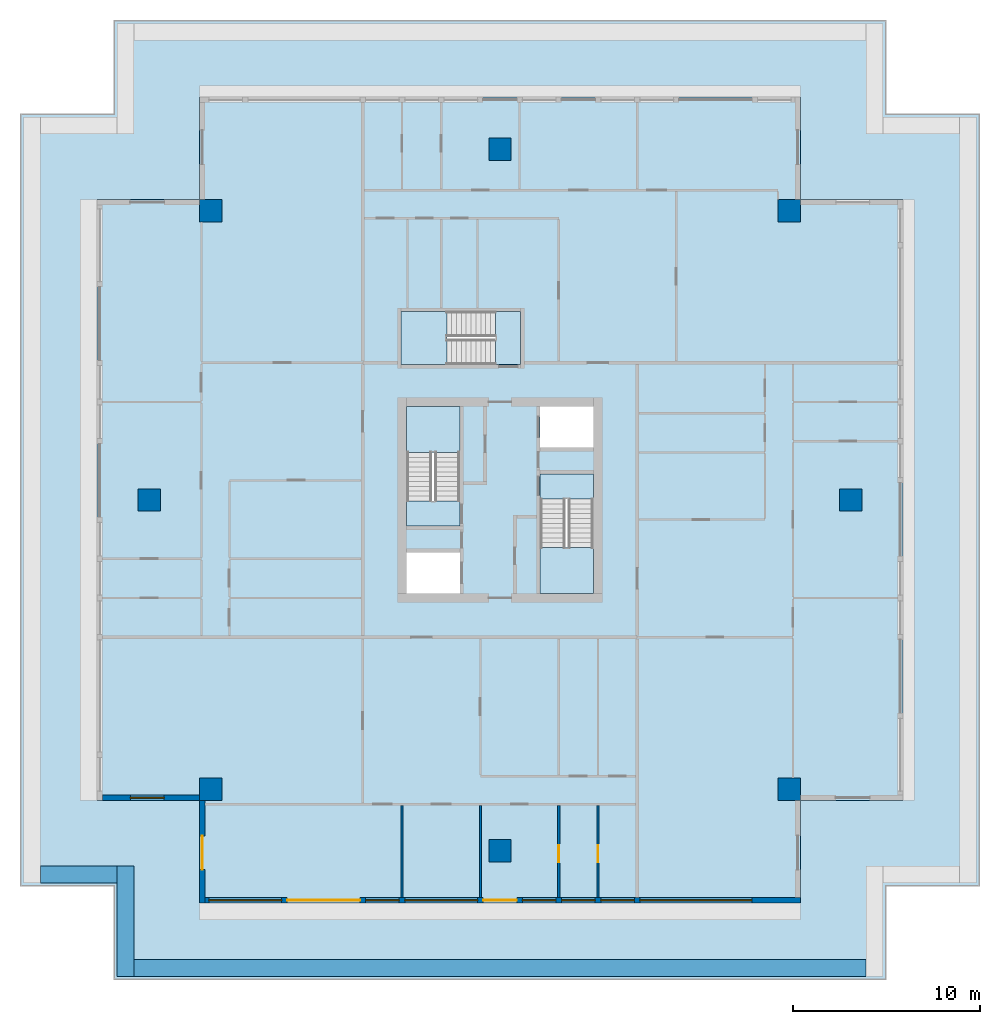
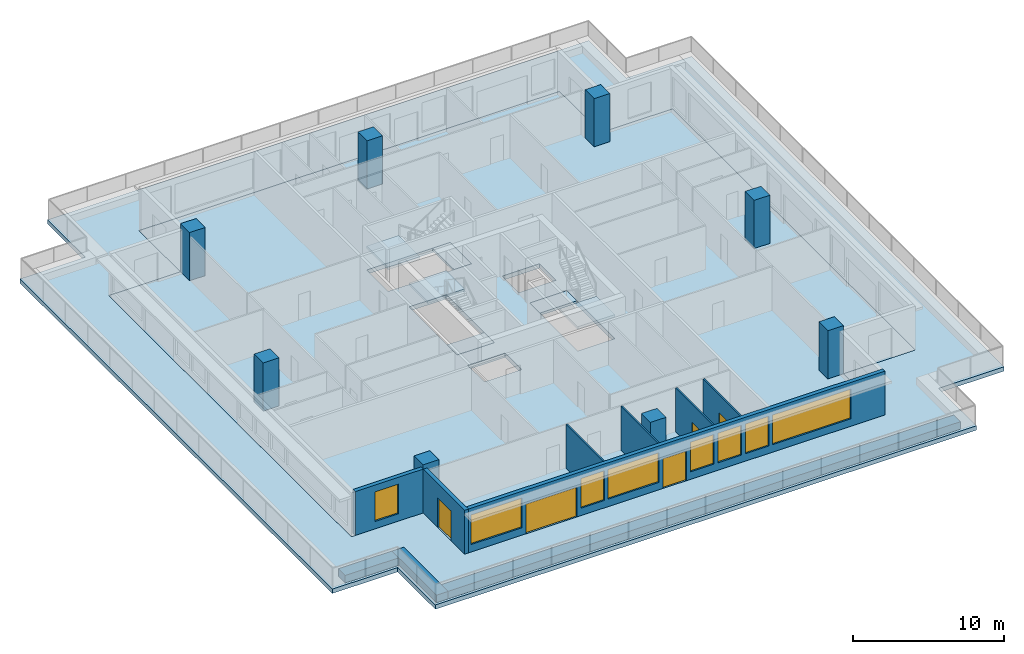
# One storey, part 1 of 11: 10 walls, 8 columns, 8 slabs, 8 windows, 5 doors, 13 openings, 3 elements without a shape of their own.
"""IFC4 building model written with IfcOpenShell, lengths in metres."""

from ifc_helpers import new_model, si_unit, direction, frame, frame_2d, origin, origin_2d, place, context, subcontext, project, spatial, polyline, rectangle, outline, extrude, material, layer, layer_set, material_profile, profile_set, type_object, element, fill, aggregate, save


model = new_model("IFC4")

# Units and contexts
model_context = context("Model", 3, precision=1e-05, world=origin(), true_north=direction((0.0, 1.0)))
body_context = subcontext(model_context, "Body", "Model", "MODEL_VIEW")
ifc_project = project(units=[si_unit("LENGTHUNIT", "METRE"), si_unit("AREAUNIT", "SQUARE_METRE"), si_unit("VOLUMEUNIT", "CUBIC_METRE"), si_unit("PLANEANGLEUNIT", "RADIAN"), si_unit("MASSUNIT", "GRAM", prefix="KILO")], contexts=[model_context])

# Site, building, storey
site_placement = place(None, origin())
site = spatial("IfcSite", under=ifc_project, at=site_placement, CompositionType="ELEMENT")
building_placement = place(site_placement, origin())
building = spatial("IfcBuilding", under=site, at=building_placement, Name="Khepri Terraces", CompositionType="ELEMENT")
storey_placement = place(building_placement, frame((0.0, 0.0, 292.800048828125)))
storey = spatial("IfcBuildingStorey", under=building, at=storey_placement, Name="L70", CompositionType="ELEMENT", Elevation=292.800048828125)

# Columns
ifc_material_1 = material(Name="Concrete C40/50", Category="concrete")
ifc_material_profile = material_profile(ifc_material_1, rectangle(XDim=1.199951171875, YDim=1.199951171875, at=origin_2d()), Name="Concrete C40/50", Category="concrete")
ifc_profile_set = profile_set([ifc_material_profile], Name="Concrete C40/50")
column_type = type_object("IfcColumnType", Name="Crown column RC 1200x1200 C40/50", PredefinedType="COLUMN", material=ifc_profile_set)
for number, where, z_axis, x_axis, name in (
    (1, (18.800048828125, 0.0, -0.35009765625), (0.0, 0.0, 1.0), (1.0, 0.0, 0.0), "Crown column CT1E L70"),
    (2, (15.5, 15.5, -0.35009765625), (0.0, 0.0, 1.0), (1.0, 0.0, 0.0), "Crown column CT1EN L70"),
    (3, (15.5, -15.5, -0.35009765625), (0.0, 0.0, 1.0), (1.0, 0.0, 0.0), "Crown column CT1ES L70"),
    (4, (0.0, 18.800048828125, -0.35009765625), (0.0, 0.0, 1.0), (1.0, 0.0, 0.0), "Crown column CT1N L70"),
    (5, (0.0, -18.800048828125, -0.35009765625), (0.0, 0.0, 1.0), (1.0, 0.0, 0.0), "Crown column CT1S L70"),
    (6, (-18.800048828125, 0.0, -0.35009765625), (0.0, 0.0, 1.0), (1.0, 0.0, 0.0), "Crown column CT1W L70"),
    (7, (-15.5, 15.5, -0.35009765625), (0.0, 0.0, 1.0), (1.0, 0.0, 0.0), "Crown column CT1WN L70"),
    (8, (-15.5, -15.5, -0.35009765625), (0.0, 0.0, 1.0), (1.0, 0.0, 0.0), "Crown column CT1WS L70"),
):
    element("IfcColumn", number, at=place(storey_placement, frame(where, z_axis=z_axis, x_axis=x_axis)), inside=storey, type_object=column_type, Name=name, PredefinedType="COLUMN", context=body_context, shape_type="SweptSolid", body=[
        extrude(rectangle(XDim=1.199951171875, YDim=1.199951171875, at=origin_2d()), origin(), (0.0, 0.0, 1.0), 4.25),
    ])

# Slabs
ifc_layer_1 = layer(ifc_material_1, 0.35009765625, Name="Concrete C40/50", Category="concrete")
ifc_layer_set_1 = layer_set([ifc_layer_1], Name="Concrete C40/50")
slab_type_1 = type_object("IfcSlabType", Name="Crown floor slab 350", PredefinedType="FLOOR", material=ifc_layer_set_1)
slab_1_placement = place(storey_placement, frame((0.0, 0.0, -0.35009765625)))
element("IfcSlab", 9, at=slab_1_placement, inside=storey, type_object=slab_type_1, Name="Floor slab F01 L70", PredefinedType="FLOOR", context=body_context, shape_type="SweptSolid", body=[
    extrude(outline(polyline([(-21.60009765625, -16.10009765625), (-21.60009765625, 16.10009765625), (-16.10009765625, 16.10009765625), (-16.10009765625, 21.60009765625), (16.10009765625, 21.60009765625), (16.10009765625, 16.10009765625), (21.60009765625, 16.10009765625), (21.60009765625, -16.10009765625), (16.10009765625, -16.10009765625), (16.10009765625, -21.60009765625), (-16.10009765625, -21.60009765625), (-16.10009765625, -16.10009765625), (-21.60009765625, -16.10009765625)]), holes=[polyline([(5.0, 5.0), (2.14990234375, 5.0), (2.14990234375, 2.800048828125), (5.0, 2.800048828125), (5.0, 5.0)]), polyline([(-2.14990234375, -5.0), (-2.14990234375, -2.800048828125), (-5.0, -2.800048828125), (-5.0, -5.0), (-2.14990234375, -5.0)]), polyline([(-5.0, -1.39990234375), (-2.14990234375, -1.39990234375), (-2.14990234375, 5.0), (-5.0, 5.0), (-5.0, -1.39990234375)]), polyline([(5.0, -5.0), (5.0, 1.39990234375), (2.14990234375, 1.39990234375), (2.14990234375, -5.0), (5.0, -5.0)]), polyline([(-5.300048828125, 10.10009765625), (-5.300048828125, 7.25), (1.10009765625, 7.25), (1.10009765625, 10.10009765625), (-5.300048828125, 10.10009765625)])]), origin(), (0.0, 0.0, 1.0), 0.35009765625),
])
ifc_layer_2 = layer(ifc_material_1, 0.35009765625, Name="Concrete C40/50", Category="concrete")
ifc_layer_set_2 = layer_set([ifc_layer_2], Name="Concrete C40/50")
slab_type_2 = type_object("IfcSlabType", Name="Crown roof slab 350", PredefinedType="ROOF", material=ifc_layer_set_2)
slab_2_placement = place(storey_placement, frame((0.0, 0.0, -0.35009765625)))
element("IfcSlab", 10, at=slab_2_placement, inside=storey, type_object=slab_type_2, Name="Roof slab R01 below L70", PredefinedType="ROOF", context=body_context, shape_type="SweptSolid", body=[
    extrude(outline(polyline([(-20.719970703125, -20.719970703125), (-21.60009765625, -20.719970703125), (-25.719970703125, -20.719970703125), (-25.719970703125, 20.719970703125), (-21.60009765625, 20.719970703125), (-20.719970703125, 20.719970703125), (-20.719970703125, 21.60009765625), (-20.719970703125, 25.719970703125), (20.719970703125, 25.719970703125), (20.719970703125, 21.60009765625), (20.719970703125, 20.719970703125), (21.60009765625, 20.719970703125), (25.719970703125, 20.719970703125), (25.719970703125, -20.719970703125), (21.60009765625, -20.719970703125), (20.719970703125, -20.719970703125), (20.719970703125, -21.60009765625), (20.719970703125, -25.719970703125), (-20.719970703125, -25.719970703125), (-20.719970703125, -21.60009765625), (-20.719970703125, -20.719970703125)]), holes=[polyline([(-21.60009765625, -16.10009765625), (-16.10009765625, -16.10009765625), (-16.10009765625, -21.60009765625), (16.10009765625, -21.60009765625), (16.10009765625, -16.10009765625), (21.60009765625, -16.10009765625), (21.60009765625, 16.10009765625), (16.10009765625, 16.10009765625), (16.10009765625, 21.60009765625), (-16.10009765625, 21.60009765625), (-16.10009765625, 16.10009765625), (-21.60009765625, 16.10009765625), (-21.60009765625, -16.10009765625)])]), origin(), (0.0, 0.0, 1.0), 0.35009765625),
])

# Stair, slabs
stair_type = type_object("IfcStairType", Name="STAIR-RC-22R", PredefinedType="HALF_TURN_STAIR", material=ifc_material_1)
stair_1_placement = place(storey_placement, origin())
stair_1 = element("IfcStair", 11, at=stair_1_placement, inside=storey, type_object=stair_type, Name="L70 Exit Stair ST-1", PredefinedType="HALF_TURN_STAIR")
ifc_layer_3 = layer(ifc_material_1, 0.199951171875, Name="Concrete C40/50", Category="concrete")
ifc_layer_set_3 = layer_set([ifc_layer_3], Name="Concrete C40/50")
slab_type_3 = type_object("IfcSlabType", Name="SLB-CORE-LANDING", PredefinedType="LANDING", material=ifc_layer_set_3)
slab_3_placement = place(storey_placement, frame((0.0, 0.0, -0.199951171875)))
slab_3 = element("IfcSlab", 12, at=slab_3_placement, type_object=slab_type_3, Name="ST-1 landing 1", PredefinedType="LANDING", context=body_context, shape_type="SweptSolid", body=[
    extrude(outline(polyline([(-2.14990234375, -1.39990234375), (-2.14990234375, -0.050048828125), (-5.0, -0.050048828125), (-5.0, -1.39990234375), (-2.14990234375, -1.39990234375)])), origin(), (0.0, 0.0, 1.0), 0.199951171875),
])
slab_4_placement = place(storey_placement, frame((0.0, 0.0, 1.75)))
slab_4 = element("IfcSlab", 13, at=slab_4_placement, type_object=slab_type_3, Name="ST-1 landing 2", PredefinedType="LANDING", context=body_context, shape_type="SweptSolid", body=[
    extrude(outline(polyline([(-2.14990234375, 2.550048828125), (-2.14990234375, 5.0), (-5.0, 5.0), (-5.0, 2.550048828125), (-2.14990234375, 2.550048828125)])), origin(), (0.0, 0.0, 1.0), 0.199951171875),
])
aggregate(stair_1, [slab_3, slab_4])

stair_2_placement = place(storey_placement, origin())
stair_2 = element("IfcStair", 14, at=stair_2_placement, inside=storey, type_object=stair_type, Name="L70 Exit Stair ST-2", PredefinedType="HALF_TURN_STAIR")
slab_5_placement = place(storey_placement, frame((0.0, 0.0, -0.199951171875)))
slab_5 = element("IfcSlab", 15, at=slab_5_placement, type_object=slab_type_3, Name="ST-2 landing 1", PredefinedType="LANDING", context=body_context, shape_type="SweptSolid", body=[
    extrude(outline(polyline([(2.14990234375, 1.39990234375), (2.14990234375, 0.050048828125), (5.0, 0.050048828125), (5.0, 1.39990234375), (2.14990234375, 1.39990234375)])), origin(), (0.0, 0.0, 1.0), 0.199951171875),
])
slab_6_placement = place(storey_placement, frame((0.0, 0.0, 1.75)))
slab_6 = element("IfcSlab", 16, at=slab_6_placement, type_object=slab_type_3, Name="ST-2 landing 2", PredefinedType="LANDING", context=body_context, shape_type="SweptSolid", body=[
    extrude(outline(polyline([(2.14990234375, -2.550048828125), (2.14990234375, -5.0), (5.0, -5.0), (5.0, -2.550048828125), (2.14990234375, -2.550048828125)])), origin(), (0.0, 0.0, 1.0), 0.199951171875),
])
aggregate(stair_2, [slab_5, slab_6])

stair_3_placement = place(storey_placement, origin())
stair_3 = element("IfcStair", 17, at=stair_3_placement, inside=storey, type_object=stair_type, Name="L70 Exit Stair ST-3", PredefinedType="HALF_TURN_STAIR")
slab_7_placement = place(storey_placement, frame((0.0, 0.0, -0.199951171875)))
slab_7 = element("IfcSlab", 18, at=slab_7_placement, type_object=slab_type_3, Name="ST-3 landing 1", PredefinedType="LANDING", context=body_context, shape_type="SweptSolid", body=[
    extrude(outline(polyline([(1.10009765625, 10.10009765625), (-0.25, 10.10009765625), (-0.25, 7.25), (1.10009765625, 7.25), (1.10009765625, 10.10009765625)])), origin(), (0.0, 0.0, 1.0), 0.199951171875),
])
slab_8_placement = place(storey_placement, frame((0.0, 0.0, 1.75)))
slab_8 = element("IfcSlab", 19, at=slab_8_placement, type_object=slab_type_3, Name="ST-3 landing 2", PredefinedType="LANDING", context=body_context, shape_type="SweptSolid", body=[
    extrude(outline(polyline([(-2.85009765625, 10.10009765625), (-5.300048828125, 10.10009765625), (-5.300048828125, 7.25), (-2.85009765625, 7.25), (-2.85009765625, 10.10009765625)])), origin(), (0.0, 0.0, 1.0), 0.199951171875),
])
aggregate(stair_3, [slab_7, slab_8])

# Wall, opening, window
ifc_material_2 = material(Name="Precast concrete C50/60 warm stone", Category="masonry")
ifc_layer_4 = layer(ifc_material_2, 0.300048828125, Name="Precast concrete C50/60 warm stone", Category="masonry")
ifc_layer_set_4 = layer_set([ifc_layer_4], Name="Precast concrete C50/60 warm stone")
wall_type_1 = type_object("IfcWallType", Name="WL-EXT-PRECAST-300", PredefinedType="STANDARD", material=ifc_layer_set_4)
wall_1_placement = place(storey_placement, frame((-21.300048828125, -15.949951171875, 0.0), z_axis=(0.0, 0.0, 1.0), x_axis=(1.0, 0.0, 0.0)))
wall_1 = element("IfcWall", 20, at=wall_1_placement, inside=storey, type_object=wall_type_1, Name="External wall L70 S", PredefinedType="STANDARD", context=body_context, shape_type="SweptSolid", body=[
    extrude(rectangle(XDim=5.199951171875, YDim=0.300048828125, at=frame_2d((2.60009765625, 0.0))), origin(), (0.0, 0.0, 1.0), 3.550048828125),
])
opening_1_placement = place(wall_1_placement, frame((1.5, 0.0, 0.60009765625)))
opening_1 = element("IfcOpeningElement", 21, at=opening_1_placement, cuts=wall_1, Name="Opening WC1", PredefinedType="OPENING", context=body_context, shape_type="SweptSolid", body=[
    extrude(rectangle(XDim=1.800048828125, YDim=2.39990234375, at=frame_2d((0.89990234375, 1.199951171875))), frame((0.0, 0.16015625, 0.0), z_axis=(0.0, -1.0, 0.0), x_axis=(1.0, 0.0, 0.0)), (0.0, 0.0, 1.0), 0.320068359375),
])
ifc_material_3 = material(Name="Clear glass", Category="glass")
window_type_1 = type_object("IfcWindowType", Name="WIN-CRN-1800x2400", PartitioningType="SINGLE_PANEL", PredefinedType="WINDOW", material=ifc_material_3)
window_1_placement = place(opening_1_placement, origin())
window_1 = element("IfcWindow", 22, at=window_1_placement, inside=storey, type_object=window_type_1, Name="Window L70 S", OverallHeight=2.39990234375, OverallWidth=1.800048828125, PartitioningType="SINGLE_PANEL", PredefinedType="WINDOW", context=body_context, shape_type="SweptSolid", body=[
    extrude(rectangle(XDim=1.800048828125, YDim=2.39990234375, at=frame_2d((0.89990234375, 1.199951171875))), frame((0.0, 0.030029296875, 0.0), z_axis=(0.0, -1.0, 0.0), x_axis=(1.0, 0.0, 0.0)), (0.0, 0.0, 1.0), 0.06005859375),
])
fill(opening_1, window_1)

# Wall, opening, door
wall_2_placement = place(storey_placement, frame((-15.949951171875, -16.10009765625, 0.0), z_axis=(0.0, 0.0, 1.0), x_axis=(0.0, -1.0, 0.0)))
wall_2 = element("IfcWall", 23, at=wall_2_placement, inside=storey, type_object=wall_type_1, Name="External wall L70 W", PredefinedType="STANDARD", context=body_context, shape_type="SweptSolid", body=[
    extrude(rectangle(XDim=5.5, YDim=0.300048828125, at=frame_2d((2.75, 0.0))), origin(), (0.0, 0.0, 1.0), 3.550048828125),
])
opening_2_placement = place(wall_2_placement, frame((1.89990234375, 0.0, 0.0)))
opening_2 = element("IfcOpeningElement", 24, at=opening_2_placement, cuts=wall_2, Name="Opening ED-L70-11", PredefinedType="OPENING", context=body_context, shape_type="SweptSolid", body=[
    extrude(rectangle(XDim=1.800048828125, YDim=2.39990234375, at=frame_2d((0.89990234375, 1.199951171875))), frame((0.0, 0.16015625, 0.0), z_axis=(0.0, -1.0, 0.0), x_axis=(1.0, 0.0, 0.0)), (0.0, 0.0, 1.0), 0.320068359375),
])
ifc_material_4 = material(Name="Anodised aluminium bronze glazed door", Category="aluminium")
door_type_1 = type_object("IfcDoorType", Name="DR-BAL-SLIDE-1800x2400", OperationType="NOTDEFINED", PredefinedType="DOOR", material=ifc_material_4)
door_1_placement = place(opening_2_placement, origin())
door_1 = element("IfcDoor", 25, at=door_1_placement, inside=storey, type_object=door_type_1, Name="Balcony door L70 W", OperationType="SLIDING_TO_LEFT", OverallHeight=2.39990234375, OverallWidth=1.800048828125, PredefinedType="DOOR", context=body_context, shape_type="SweptSolid", body=[
    extrude(rectangle(XDim=1.800048828125, YDim=2.39990234375, at=frame_2d((0.89990234375, 1.199951171875))), frame((0.0, 0.02490234375, 0.0), z_axis=(0.0, -1.0, 0.0), x_axis=(1.0, 0.0, 0.0)), (0.0, 0.0, 1.0), 0.050048828125),
])
fill(opening_2, door_1)

# Wall, openings, doors, windows
wall_3_placement = place(storey_placement, frame((-15.800048828125, -21.449951171875, 0.0), z_axis=(0.0, 0.0, 1.0), x_axis=(1.0, 0.0, 0.0)))
wall_3 = element("IfcWall", 26, at=wall_3_placement, inside=storey, type_object=wall_type_1, Name="External wall L70 S", PredefinedType="STANDARD", context=body_context, shape_type="SweptSolid", body=[
    extrude(rectangle(XDim=31.900146484375, YDim=0.300048828125, at=frame_2d((15.9501953125, 0.0))), origin(), (0.0, 0.0, 1.0), 3.550048828125),
])
opening_3_placement = place(wall_3_placement, frame((0.199951171875, 0.0, 0.60009765625)))
opening_3 = element("IfcOpeningElement", 27, at=opening_3_placement, cuts=wall_3, Name="Opening WC2", PredefinedType="OPENING", context=body_context, shape_type="SweptSolid", body=[
    extrude(rectangle(XDim=3.89990234375, YDim=2.39990234375, at=frame_2d((1.949951171875, 1.199951171875))), frame((0.0, 0.16015625, 0.0), z_axis=(0.0, -1.0, 0.0), x_axis=(1.0, 0.0, 0.0)), (0.0, 0.0, 1.0), 0.320068359375),
])
opening_4_placement = place(wall_3_placement, frame((4.39990234375, 0.0, 0.0)))
opening_4 = element("IfcOpeningElement", 28, at=opening_4_placement, cuts=wall_3, Name="Opening ED-L70-12", PredefinedType="OPENING", context=body_context, shape_type="SweptSolid", body=[
    extrude(rectangle(XDim=3.89990234375, YDim=2.39990234375, at=frame_2d((1.949951171875, 1.199951171875))), frame((0.0, 0.16015625, 0.0), z_axis=(0.0, -1.0, 0.0), x_axis=(1.0, 0.0, 0.0)), (0.0, 0.0, 1.0), 0.320068359375),
])
opening_5_placement = place(wall_3_placement, frame((8.60009765625, 0.0, 0.60009765625)))
opening_5 = element("IfcOpeningElement", 29, at=opening_5_placement, cuts=wall_3, Name="Opening WC1", PredefinedType="OPENING", context=body_context, shape_type="SweptSolid", body=[
    extrude(rectangle(XDim=1.800048828125, YDim=2.39990234375, at=frame_2d((0.89990234375, 1.199951171875))), frame((0.0, 0.16015625, 0.0), z_axis=(0.0, -1.0, 0.0), x_axis=(1.0, 0.0, 0.0)), (0.0, 0.0, 1.0), 0.320068359375),
])
opening_6_placement = place(wall_3_placement, frame((10.699951171875, 0.0, 0.60009765625)))
opening_6 = element("IfcOpeningElement", 30, at=opening_6_placement, cuts=wall_3, Name="Opening WC2", PredefinedType="OPENING", context=body_context, shape_type="SweptSolid", body=[
    extrude(rectangle(XDim=3.89990234375, YDim=2.39990234375, at=frame_2d((1.949951171875, 1.199951171875))), frame((0.0, 0.16015625, 0.0), z_axis=(0.0, -1.0, 0.0), x_axis=(1.0, 0.0, 0.0)), (0.0, 0.0, 1.0), 0.320068359375),
])
opening_7_placement = place(wall_3_placement, frame((14.89990234375, 0.0, 0.0)))
opening_7 = element("IfcOpeningElement", 31, at=opening_7_placement, cuts=wall_3, Name="Opening ED-L70-13", PredefinedType="OPENING", context=body_context, shape_type="SweptSolid", body=[
    extrude(rectangle(XDim=1.800048828125, YDim=2.39990234375, at=frame_2d((0.89990234375, 1.199951171875))), frame((0.0, 0.16015625, 0.0), z_axis=(0.0, -1.0, 0.0), x_axis=(1.0, 0.0, 0.0)), (0.0, 0.0, 1.0), 0.320068359375),
])
opening_8_placement = place(wall_3_placement, frame((17.0, 0.0, 0.60009765625)))
opening_8 = element("IfcOpeningElement", 32, at=opening_8_placement, cuts=wall_3, Name="Opening WC1", PredefinedType="OPENING", context=body_context, shape_type="SweptSolid", body=[
    extrude(rectangle(XDim=1.800048828125, YDim=2.39990234375, at=frame_2d((0.89990234375, 1.199951171875))), frame((0.0, 0.16015625, 0.0), z_axis=(0.0, -1.0, 0.0), x_axis=(1.0, 0.0, 0.0)), (0.0, 0.0, 1.0), 0.320068359375),
])
opening_9_placement = place(wall_3_placement, frame((19.10009765625, 0.0, 0.60009765625)))
opening_9 = element("IfcOpeningElement", 33, at=opening_9_placement, cuts=wall_3, Name="Opening WC1", PredefinedType="OPENING", context=body_context, shape_type="SweptSolid", body=[
    extrude(rectangle(XDim=1.800048828125, YDim=2.39990234375, at=frame_2d((0.89990234375, 1.199951171875))), frame((0.0, 0.16015625, 0.0), z_axis=(0.0, -1.0, 0.0), x_axis=(1.0, 0.0, 0.0)), (0.0, 0.0, 1.0), 0.320068359375),
])
opening_10_placement = place(wall_3_placement, frame((21.199951171875, 0.0, 0.60009765625)))
opening_10 = element("IfcOpeningElement", 34, at=opening_10_placement, cuts=wall_3, Name="Opening WC1", PredefinedType="OPENING", context=body_context, shape_type="SweptSolid", body=[
    extrude(rectangle(XDim=1.800048828125, YDim=2.39990234375, at=frame_2d((0.89990234375, 1.199951171875))), frame((0.0, 0.16015625, 0.0), z_axis=(0.0, -1.0, 0.0), x_axis=(1.0, 0.0, 0.0)), (0.0, 0.0, 1.0), 0.320068359375),
])
opening_11_placement = place(wall_3_placement, frame((23.300048828125, 0.0, 0.60009765625)))
opening_11 = element("IfcOpeningElement", 35, at=opening_11_placement, cuts=wall_3, Name="Opening WC3", PredefinedType="OPENING", context=body_context, shape_type="SweptSolid", body=[
    extrude(rectangle(XDim=6.0, YDim=2.39990234375, at=frame_2d((3.0, 1.199951171875))), frame((0.0, 0.16015625, 0.0), z_axis=(0.0, -1.0, 0.0), x_axis=(1.0, 0.0, 0.0)), (0.0, 0.0, 1.0), 0.320068359375),
])
door_2_placement = place(opening_7_placement, origin())
door_2 = element("IfcDoor", 36, at=door_2_placement, inside=storey, type_object=door_type_1, Name="Balcony door L70 S", OperationType="SLIDING_TO_LEFT", OverallHeight=2.39990234375, OverallWidth=1.800048828125, PredefinedType="DOOR", context=body_context, shape_type="SweptSolid", body=[
    extrude(rectangle(XDim=1.800048828125, YDim=2.39990234375, at=frame_2d((0.89990234375, 1.199951171875))), frame((0.0, 0.02490234375, 0.0), z_axis=(0.0, -1.0, 0.0), x_axis=(1.0, 0.0, 0.0)), (0.0, 0.0, 1.0), 0.050048828125),
])
fill(opening_7, door_2)
door_type_2 = type_object("IfcDoorType", Name="DR-BAL-SLIDE-3900x2400", OperationType="NOTDEFINED", PredefinedType="DOOR", material=ifc_material_4)
door_3_placement = place(opening_4_placement, origin())
door_3 = element("IfcDoor", 37, at=door_3_placement, inside=storey, type_object=door_type_2, Name="Balcony door L70 S", OperationType="SLIDING_TO_RIGHT", OverallHeight=2.39990234375, OverallWidth=3.89990234375, PredefinedType="DOOR", context=body_context, shape_type="SweptSolid", body=[
    extrude(rectangle(XDim=3.89990234375, YDim=2.39990234375, at=frame_2d((1.949951171875, 1.199951171875))), frame((0.0, 0.02490234375, 0.0), z_axis=(0.0, -1.0, 0.0), x_axis=(1.0, 0.0, 0.0)), (0.0, 0.0, 1.0), 0.050048828125),
])
fill(opening_4, door_3)
window_2_placement = place(opening_5_placement, origin())
window_2 = element("IfcWindow", 38, at=window_2_placement, inside=storey, type_object=window_type_1, Name="Window L70 S", OverallHeight=2.39990234375, OverallWidth=1.800048828125, PartitioningType="SINGLE_PANEL", PredefinedType="WINDOW", context=body_context, shape_type="SweptSolid", body=[
    extrude(rectangle(XDim=1.800048828125, YDim=2.39990234375, at=frame_2d((0.89990234375, 1.199951171875))), frame((0.0, 0.030029296875, 0.0), z_axis=(0.0, -1.0, 0.0), x_axis=(1.0, 0.0, 0.0)), (0.0, 0.0, 1.0), 0.06005859375),
])
fill(opening_5, window_2)
window_3_placement = place(opening_8_placement, origin())
window_3 = element("IfcWindow", 39, at=window_3_placement, inside=storey, type_object=window_type_1, Name="Window L70 S", OverallHeight=2.39990234375, OverallWidth=1.800048828125, PartitioningType="SINGLE_PANEL", PredefinedType="WINDOW", context=body_context, shape_type="SweptSolid", body=[
    extrude(rectangle(XDim=1.800048828125, YDim=2.39990234375, at=frame_2d((0.89990234375, 1.199951171875))), frame((0.0, 0.030029296875, 0.0), z_axis=(0.0, -1.0, 0.0), x_axis=(1.0, 0.0, 0.0)), (0.0, 0.0, 1.0), 0.06005859375),
])
fill(opening_8, window_3)
window_4_placement = place(opening_9_placement, origin())
window_4 = element("IfcWindow", 40, at=window_4_placement, inside=storey, type_object=window_type_1, Name="Window L70 S", OverallHeight=2.39990234375, OverallWidth=1.800048828125, PartitioningType="SINGLE_PANEL", PredefinedType="WINDOW", context=body_context, shape_type="SweptSolid", body=[
    extrude(rectangle(XDim=1.800048828125, YDim=2.39990234375, at=frame_2d((0.89990234375, 1.199951171875))), frame((0.0, 0.030029296875, 0.0), z_axis=(0.0, -1.0, 0.0), x_axis=(1.0, 0.0, 0.0)), (0.0, 0.0, 1.0), 0.06005859375),
])
fill(opening_9, window_4)
window_5_placement = place(opening_10_placement, origin())
window_5 = element("IfcWindow", 41, at=window_5_placement, inside=storey, type_object=window_type_1, Name="Window L70 S", OverallHeight=2.39990234375, OverallWidth=1.800048828125, PartitioningType="SINGLE_PANEL", PredefinedType="WINDOW", context=body_context, shape_type="SweptSolid", body=[
    extrude(rectangle(XDim=1.800048828125, YDim=2.39990234375, at=frame_2d((0.89990234375, 1.199951171875))), frame((0.0, 0.030029296875, 0.0), z_axis=(0.0, -1.0, 0.0), x_axis=(1.0, 0.0, 0.0)), (0.0, 0.0, 1.0), 0.06005859375),
])
fill(opening_10, window_5)
window_type_2 = type_object("IfcWindowType", Name="WIN-CRN-3900x2400", PartitioningType="SINGLE_PANEL", PredefinedType="WINDOW", material=ifc_material_3)
window_6_placement = place(opening_3_placement, origin())
window_6 = element("IfcWindow", 42, at=window_6_placement, inside=storey, type_object=window_type_2, Name="Window L70 S", OverallHeight=2.39990234375, OverallWidth=3.89990234375, PartitioningType="SINGLE_PANEL", PredefinedType="WINDOW", context=body_context, shape_type="SweptSolid", body=[
    extrude(rectangle(XDim=3.89990234375, YDim=2.39990234375, at=frame_2d((1.949951171875, 1.199951171875))), frame((0.0, 0.030029296875, 0.0), z_axis=(0.0, -1.0, 0.0), x_axis=(1.0, 0.0, 0.0)), (0.0, 0.0, 1.0), 0.06005859375),
])
fill(opening_3, window_6)
window_7_placement = place(opening_6_placement, origin())
window_7 = element("IfcWindow", 43, at=window_7_placement, inside=storey, type_object=window_type_2, Name="Window L70 S", OverallHeight=2.39990234375, OverallWidth=3.89990234375, PartitioningType="SINGLE_PANEL", PredefinedType="WINDOW", context=body_context, shape_type="SweptSolid", body=[
    extrude(rectangle(XDim=3.89990234375, YDim=2.39990234375, at=frame_2d((1.949951171875, 1.199951171875))), frame((0.0, 0.030029296875, 0.0), z_axis=(0.0, -1.0, 0.0), x_axis=(1.0, 0.0, 0.0)), (0.0, 0.0, 1.0), 0.06005859375),
])
fill(opening_6, window_7)
window_type_3 = type_object("IfcWindowType", Name="WIN-CRN-6000x2400", PartitioningType="SINGLE_PANEL", PredefinedType="WINDOW", material=ifc_material_3)
window_8_placement = place(opening_11_placement, origin())
window_8 = element("IfcWindow", 44, at=window_8_placement, inside=storey, type_object=window_type_3, Name="Window L70 S", OverallHeight=2.39990234375, OverallWidth=6.0, PartitioningType="SINGLE_PANEL", PredefinedType="WINDOW", context=body_context, shape_type="SweptSolid", body=[
    extrude(rectangle(XDim=6.0, YDim=2.39990234375, at=frame_2d((3.0, 1.199951171875))), frame((0.0, 0.030029296875, 0.0), z_axis=(0.0, -1.0, 0.0), x_axis=(1.0, 0.0, 0.0)), (0.0, 0.0, 1.0), 0.06005859375),
])
fill(opening_11, window_8)

# Walls
ifc_material_5 = material(Name="Gypsum plasterboard partition")
ifc_layer_5 = layer(ifc_material_5, 0.1201171875, Name="Gypsum plasterboard partition")
ifc_layer_set_5 = layer_set([ifc_layer_5], Name="Gypsum plasterboard partition")
wall_type_2 = type_object("IfcWallType", Name="WL-PART-120", PredefinedType="PARTITIONING", material=ifc_layer_set_5)
for number, where, z_axis, x_axis, name in (
    (45, (-5.25, -21.300048828125, 0.0), (0.0, 0.0, 1.0), (0.0, 1.0, 0.0), "Partition P-001 L70"),
    (46, (-1.050048828125, -21.300048828125, 0.0), (0.0, 0.0, 1.0), (0.0, 1.0, 0.0), "Partition P-002 L70"),
):
    element("IfcWall", number, at=place(storey_placement, frame(where, z_axis=z_axis, x_axis=x_axis)), inside=storey, type_object=wall_type_2, Name=name, PredefinedType="PARTITIONING", context=body_context, shape_type="SweptSolid", body=[
        extrude(rectangle(XDim=4.93994140625, YDim=0.1201171875, at=frame_2d((2.469970703125, 0.0))), origin(), (0.0, 0.0, 1.0), 3.550048828125),
    ])

# Wall, opening, door
wall_4_placement = place(storey_placement, frame((3.14990234375, -21.300048828125, 0.0), z_axis=(0.0, 0.0, 1.0), x_axis=(0.0, 1.0, 0.0)))
wall_4 = element("IfcWall", 47, at=wall_4_placement, inside=storey, type_object=wall_type_2, Name="Partition P-003 L70", PredefinedType="PARTITIONING", context=body_context, shape_type="SweptSolid", body=[
    extrude(rectangle(XDim=4.93994140625, YDim=0.1201171875, at=frame_2d((2.469970703125, 0.0))), origin(), (0.0, 0.0, 1.0), 3.550048828125),
])
opening_12_placement = place(wall_4_placement, frame((1.89990234375, 0.0, 0.0)))
opening_12 = element("IfcOpeningElement", 48, at=opening_12_placement, cuts=wall_4, Name="Opening D3", PredefinedType="OPENING", context=body_context, shape_type="SweptSolid", body=[
    extrude(rectangle(XDim=0.89990234375, YDim=2.10009765625, at=frame_2d((0.449951171875, 1.050048828125))), frame((0.0, 0.070068359375, 0.0), z_axis=(0.0, -1.0, 0.0), x_axis=(1.0, 0.0, 0.0)), (0.0, 0.0, 1.0), 0.14013671875),
])
ifc_material_6 = material(Name="Timber door leaf", Category="wood")
door_type_3 = type_object("IfcDoorType", Name="DR-INT-900", OperationType="NOTDEFINED", PredefinedType="DOOR", material=ifc_material_6)
door_4_placement = place(opening_12_placement, frame((0.89990234375, 0.0, 0.0), z_axis=(0.0, 0.0, 1.0), x_axis=(-1.0, 0.0, 0.0)))
door_4 = element("IfcDoor", 49, at=door_4_placement, inside=storey, type_object=door_type_3, Name="Door Dressing Room", OperationType="SINGLE_SWING_RIGHT", OverallHeight=2.10009765625, OverallWidth=0.89990234375, PredefinedType="DOOR", context=body_context, shape_type="SweptSolid", body=[
    extrude(rectangle(XDim=0.89990234375, YDim=2.10009765625, at=frame_2d((0.449951171875, 1.050048828125))), frame((0.0, 0.02490234375, 0.0), z_axis=(0.0, -1.0, 0.0), x_axis=(1.0, 0.0, 0.0)), (0.0, 0.0, 1.0), 0.050048828125),
])
fill(opening_12, door_4)

wall_5_placement = place(storey_placement, frame((5.25, -21.300048828125, 0.0), z_axis=(0.0, 0.0, 1.0), x_axis=(0.0, 1.0, 0.0)))
wall_5 = element("IfcWall", 50, at=wall_5_placement, inside=storey, type_object=wall_type_2, Name="Partition P-004 L70", PredefinedType="PARTITIONING", context=body_context, shape_type="SweptSolid", body=[
    extrude(rectangle(XDim=4.93994140625, YDim=0.1201171875, at=frame_2d((2.469970703125, 0.0))), origin(), (0.0, 0.0, 1.0), 3.550048828125),
])
opening_13_placement = place(wall_5_placement, frame((1.89990234375, 0.0, 0.0)))
opening_13 = element("IfcOpeningElement", 51, at=opening_13_placement, cuts=wall_5, Name="Opening D4", PredefinedType="OPENING", context=body_context, shape_type="SweptSolid", body=[
    extrude(rectangle(XDim=0.89990234375, YDim=2.10009765625, at=frame_2d((0.449951171875, 1.050048828125))), frame((0.0, 0.070068359375, 0.0), z_axis=(0.0, -1.0, 0.0), x_axis=(1.0, 0.0, 0.0)), (0.0, 0.0, 1.0), 0.14013671875),
])
ifc_material_7 = material(Name="Timber door leaf, moisture resistant", Category="wood")
door_type_4 = type_object("IfcDoorType", Name="DR-WET-900", OperationType="NOTDEFINED", PredefinedType="DOOR", material=ifc_material_7)
door_5_placement = place(opening_13_placement, frame((0.89990234375, 0.0, 0.0), z_axis=(0.0, 0.0, 1.0), x_axis=(-1.0, 0.0, 0.0)))
door_5 = element("IfcDoor", 52, at=door_5_placement, inside=storey, type_object=door_type_4, Name="Door Bathroom", OperationType="SINGLE_SWING_RIGHT", OverallHeight=2.10009765625, OverallWidth=0.89990234375, PredefinedType="DOOR", context=body_context, shape_type="SweptSolid", body=[
    extrude(rectangle(XDim=0.89990234375, YDim=2.10009765625, at=frame_2d((0.449951171875, 1.050048828125))), frame((0.0, 0.02490234375, 0.0), z_axis=(0.0, -1.0, 0.0), x_axis=(1.0, 0.0, 0.0)), (0.0, 0.0, 1.0), 0.050048828125),
])
fill(opening_13, door_5)

# Walls
ifc_layer_6 = layer(ifc_material_2, 0.89990234375, Name="Precast concrete C50/60 warm stone", Category="masonry")
ifc_layer_set_6 = layer_set([ifc_layer_6], Name="Precast concrete C50/60 warm stone")
wall_type_3 = type_object("IfcWallType", Name="WL-PLANTER-900", PredefinedType="MOVABLE", material=ifc_layer_set_6)
wall_6_placement = place(storey_placement, frame((-24.6201171875, -20.070068359375, 0.0), z_axis=(0.0, 0.0, 1.0), x_axis=(1.0, 0.0, 0.0)))
element("IfcWall", 53, at=wall_6_placement, inside=storey, type_object=wall_type_3, Name="Planter L70", PredefinedType="MOVABLE", context=body_context, shape_type="SweptSolid", body=[
    extrude(rectangle(XDim=4.10009765625, YDim=0.89990234375, at=frame_2d((2.050048828125, 0.0))), origin(), (0.0, 0.0, 1.0), 0.599853515625),
])
wall_7_placement = place(storey_placement, frame((-20.070068359375, -25.52001953125, 0.0), z_axis=(0.0, 0.0, 1.0), x_axis=(0.0, 1.0, 0.0)))
element("IfcWall", 54, at=wall_7_placement, inside=storey, type_object=wall_type_3, Name="Planter L70", PredefinedType="MOVABLE", context=body_context, shape_type="SweptSolid", body=[
    extrude(rectangle(XDim=5.89990234375, YDim=0.89990234375, at=frame_2d((2.949951171875, 0.0))), origin(), (0.0, 0.0, 1.0), 0.599853515625),
])
wall_8_placement = place(storey_placement, frame((-19.6201171875, -25.070068359375, 0.0), z_axis=(0.0, 0.0, 1.0), x_axis=(1.0, 0.0, 0.0)))
element("IfcWall", 55, at=wall_8_placement, inside=storey, type_object=wall_type_3, Name="Planter L70", PredefinedType="MOVABLE", context=body_context, shape_type="SweptSolid", body=[
    extrude(rectangle(XDim=39.240234375, YDim=0.89990234375, at=frame_2d((19.6201171875, 0.0))), origin(), (0.0, 0.0, 1.0), 0.599853515625),
])

save(model, "model.ifc")
